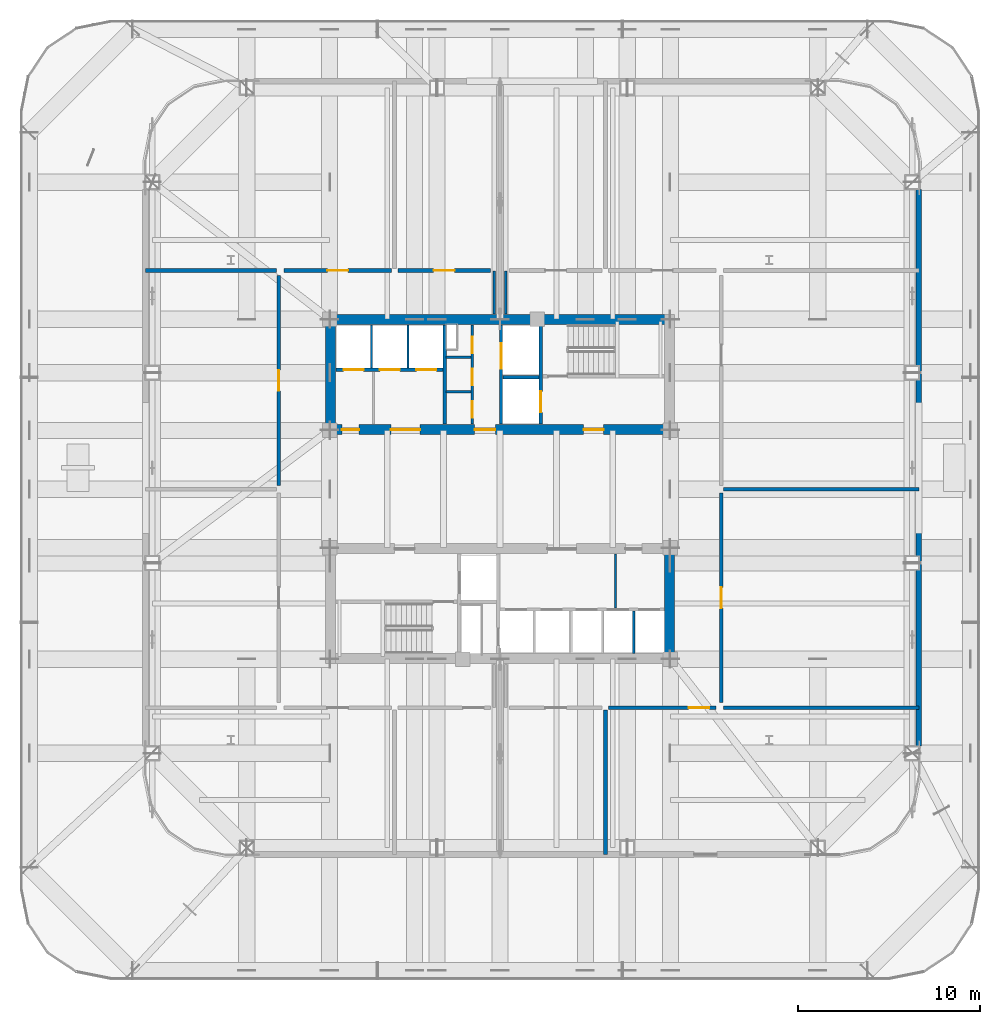
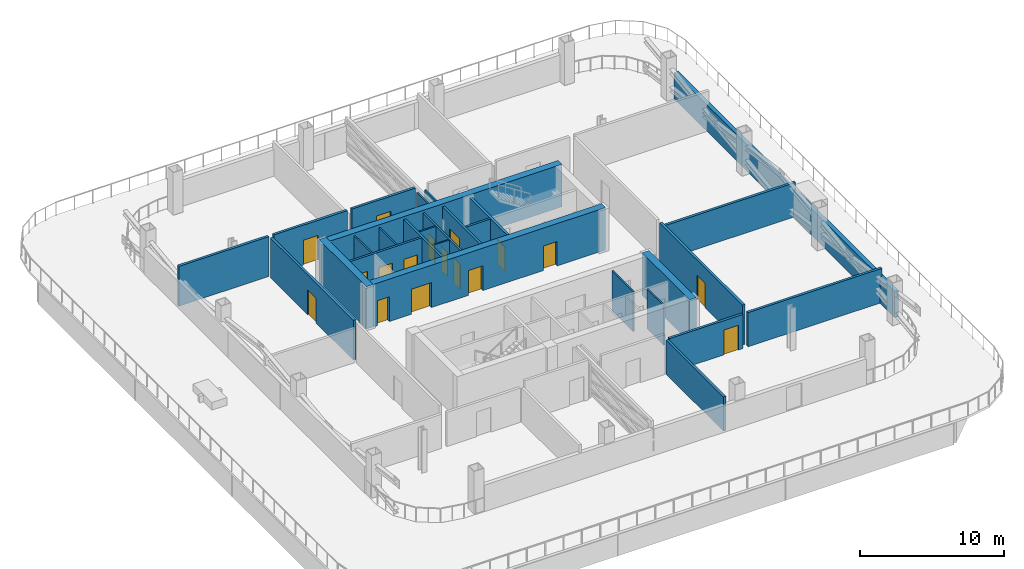
# One storey, part 9 of 16: 28 walls, 17 doors, 17 openings.
"""IFC4 building model written with IfcOpenShell, lengths in metres."""

from ifc_helpers import new_model, si_unit, direction, frame, frame_2d, origin, place, context, subcontext, project, spatial, rectangle, extrude, material, layer, layer_set, type_object, element, fill, save


model = new_model("IFC4")

# Units and contexts
model_context = context("Model", 3, precision=1e-05, world=origin(), true_north=direction((0.0, 1.0)))
body_context = subcontext(model_context, "Body", "Model", "MODEL_VIEW")
ifc_project = project(units=[si_unit("LENGTHUNIT", "METRE"), si_unit("AREAUNIT", "SQUARE_METRE"), si_unit("VOLUMEUNIT", "CUBIC_METRE"), si_unit("PLANEANGLEUNIT", "RADIAN"), si_unit("MASSUNIT", "GRAM", prefix="KILO")], contexts=[model_context])

# Site, building, storey
site_placement = place(None, origin())
site = spatial("IfcSite", under=ifc_project, at=site_placement, CompositionType="ELEMENT")
building_placement = place(site_placement, origin())
building = spatial("IfcBuilding", under=site, at=building_placement, Name="Qhalaya Broadcast Tower", CompositionType="ELEMENT")
storey_placement = place(building_placement, frame((0.0, 0.0, 57.89990234375)))
storey = spatial("IfcBuildingStorey", under=building, at=storey_placement, Name="L16", CompositionType="ELEMENT", Elevation=57.89990234375)

# Wall, openings, doors
ifc_material_1 = material(Name="Gypsum Acoustic Partition")
ifc_layer_1 = layer(ifc_material_1, 0.14990234375, Name="Gypsum Acoustic Partition")
ifc_layer_set_1 = layer_set([ifc_layer_1], Name="Gypsum Acoustic Partition")
wall_type_1 = type_object("IfcWallType", Name="Corridor & Tenancy Acoustic Partition 150", PredefinedType="PARTITIONING", material=ifc_layer_set_1)
wall_1_placement = place(storey_placement, frame((-1.52001953125, 4.169921875, 0.0), z_axis=(0.0, 0.0, 1.0), x_axis=(0.0, 1.0, 0.0)))
wall_1 = element("IfcWall", 1, at=wall_1_placement, inside=storey, type_object=wall_type_1, Name="L16 Partition Wall NCW-SVL", PredefinedType="PARTITIONING", context=body_context, shape_type="SweptSolid", body=[
    extrude(rectangle(XDim=5.4599609375, YDim=0.14990234375, at=frame_2d((2.72998046875, 0.0))), origin(), (0.0, 0.0, 1.0), 3.380126953125),
])
opening_1_placement = place(wall_1_placement, frame((3.89990234375, 0.0, 0.0)))
opening_1 = element("IfcOpeningElement", 2, at=opening_1_placement, cuts=wall_1, Name="Opening D06", PredefinedType="OPENING", context=body_context, shape_type="SweptSolid", body=[
    extrude(rectangle(XDim=0.89990234375, YDim=2.050048828125, at=frame_2d((0.449951171875, 1.02490234375))), frame((0.0, 0.0869140625, 0.0), z_axis=(0.0, -1.0, 0.0), x_axis=(1.0, 0.0, 0.0)), (0.0, 0.0, 1.0), 0.173828125),
])
opening_2_placement = place(wall_1_placement, frame((2.14990234375, 0.0, 0.0)))
opening_2 = element("IfcOpeningElement", 3, at=opening_2_placement, cuts=wall_1, Name="Opening D06", PredefinedType="OPENING", context=body_context, shape_type="SweptSolid", body=[
    extrude(rectangle(XDim=0.89990234375, YDim=2.050048828125, at=frame_2d((0.449951171875, 1.02490234375))), frame((0.0, 0.0869140625, 0.0), z_axis=(0.0, -1.0, 0.0), x_axis=(1.0, 0.0, 0.0)), (0.0, 0.0, 1.0), 0.173828125),
])
opening_3_placement = place(wall_1_placement, frame((0.35009765625, 0.0, 0.0)))
opening_3 = element("IfcOpeningElement", 4, at=opening_3_placement, cuts=wall_1, Name="Opening D12", PredefinedType="OPENING", context=body_context, shape_type="SweptSolid", body=[
    extrude(rectangle(XDim=0.919921875, YDim=2.10009765625, at=frame_2d((0.4599609375, 1.050048828125))), frame((0.0, 0.0869140625, 0.0), z_axis=(0.0, -1.0, 0.0), x_axis=(1.0, 0.0, 0.0)), (0.0, 0.0, 1.0), 0.173828125),
])
ifc_material_2 = material(Name="Timber Veneer Acoustic Door", Category="wood")
door_type_1 = type_object("IfcDoorType", Name="Accessible WC & Restroom Door D12", OperationType="NOTDEFINED", PredefinedType="DOOR", material=ifc_material_2)
door_1_placement = place(opening_3_placement, origin())
door_1 = element("IfcDoor", 5, at=door_1_placement, inside=storey, type_object=door_type_1, Name="L16 Door D-NCWC", OperationType="SINGLE_SWING_RIGHT", OverallHeight=2.10009765625, OverallWidth=0.919921875, PredefinedType="DOOR", context=body_context, shape_type="SweptSolid", body=[
    extrude(rectangle(XDim=0.919921875, YDim=2.10009765625, at=frame_2d((0.4599609375, 1.050048828125))), frame((0.0, 0.02490234375, 0.0), z_axis=(0.0, -1.0, 0.0), x_axis=(1.0, 0.0, 0.0)), (0.0, 0.0, 1.0), 0.050048828125),
])
fill(opening_3, door_1)
ifc_material_3 = material(Name="Fire-Rated Steel Door", Category="steel")
door_type_2 = type_object("IfcDoorType", Name="Riser & Electrical Shaft Access Door D06", OperationType="NOTDEFINED", PredefinedType="DOOR", material=ifc_material_3)
door_2_placement = place(opening_1_placement, origin())
door_2 = element("IfcDoor", 6, at=door_2_placement, inside=storey, type_object=door_type_2, Name="L16 Riser Shaft Access Door D-NRSR", OperationType="SINGLE_SWING_RIGHT", OverallHeight=2.050048828125, OverallWidth=0.89990234375, PredefinedType="DOOR", context=body_context, shape_type="SweptSolid", body=[
    extrude(rectangle(XDim=0.89990234375, YDim=2.050048828125, at=frame_2d((0.449951171875, 1.02490234375))), frame((0.0, 0.02490234375, 0.0), z_axis=(0.0, -1.0, 0.0), x_axis=(1.0, 0.0, 0.0)), (0.0, 0.0, 1.0), 0.050048828125),
])
fill(opening_1, door_2)
door_3_placement = place(opening_2_placement, origin())
door_3 = element("IfcDoor", 7, at=door_3_placement, inside=storey, type_object=door_type_2, Name="L16 Door D-NITR", OperationType="SINGLE_SWING_LEFT", OverallHeight=2.050048828125, OverallWidth=0.89990234375, PredefinedType="DOOR", context=body_context, shape_type="SweptSolid", body=[
    extrude(rectangle(XDim=0.89990234375, YDim=2.050048828125, at=frame_2d((0.449951171875, 1.02490234375))), frame((0.0, 0.02490234375, 0.0), z_axis=(0.0, -1.0, 0.0), x_axis=(1.0, 0.0, 0.0)), (0.0, 0.0, 1.0), 0.050048828125),
])
fill(opening_2, door_3)

# Wall, opening, door
ifc_layer_2 = layer(ifc_material_1, 0.199951171875, Name="Gypsum Acoustic Partition")
ifc_layer_set_2 = layer_set([ifc_layer_2], Name="Gypsum Acoustic Partition")
wall_type_2 = type_object("IfcWallType", Name="Firefighting Lobby & Stair Enclosure Wall 200", PredefinedType="PARTITIONING", material=ifc_layer_set_2)
wall_2_placement = place(storey_placement, frame((-11.8701171875, 12.6201171875, 0.0), z_axis=(0.0, 0.0, 1.0), x_axis=(1.0, 0.0, 0.0)))
wall_2 = element("IfcWall", 8, at=wall_2_placement, inside=storey, type_object=wall_type_2, Name="L16 Partition Wall W-PCN0", PredefinedType="PARTITIONING", context=body_context, shape_type="SweptSolid", body=[
    extrude(rectangle(XDim=5.89013671875, YDim=0.199951171875, at=frame_2d((2.945068359375, 0.0))), origin(), (0.0, 0.0, 1.0), 3.380126953125),
])
opening_4_placement = place(wall_2_placement, frame((2.3701171875, 0.0, 0.0)))
opening_4 = element("IfcOpeningElement", 9, at=opening_4_placement, cuts=wall_2, Name="Opening D05", PredefinedType="OPENING", context=body_context, shape_type="SweptSolid", body=[
    extrude(rectangle(XDim=1.14990234375, YDim=2.10009765625, at=frame_2d((0.574951171875, 1.050048828125))), frame((0.0, 0.112060546875, 0.0), z_axis=(0.0, -1.0, 0.0), x_axis=(1.0, 0.0, 0.0)), (0.0, 0.0, 1.0), 0.223876953125),
])
door_type_3 = type_object("IfcDoorType", Name="Refuge & Plant Room Fire Door D05", OperationType="NOTDEFINED", PredefinedType="DOOR", material=ifc_material_3)
door_4_placement = place(opening_4_placement, origin())
door_4 = element("IfcDoor", 10, at=door_4_placement, inside=storey, type_object=door_type_3, Name="L16 Door D-PCN0", OperationType="SINGLE_SWING_LEFT", OverallHeight=2.10009765625, OverallWidth=1.14990234375, PredefinedType="DOOR", context=body_context, shape_type="SweptSolid", body=[
    extrude(rectangle(XDim=1.14990234375, YDim=2.10009765625, at=frame_2d((0.574951171875, 1.050048828125))), frame((0.0, 0.02490234375, 0.0), z_axis=(0.0, -1.0, 0.0), x_axis=(1.0, 0.0, 0.0)), (0.0, 0.0, 1.0), 0.050048828125),
])
fill(opening_4, door_4)

wall_3_placement = place(storey_placement, frame((-5.6201171875, 12.6201171875, 0.0), z_axis=(0.0, 0.0, 1.0), x_axis=(1.0, 0.0, 0.0)))
wall_3 = element("IfcWall", 11, at=wall_3_placement, inside=storey, type_object=wall_type_2, Name="L16 Partition Wall W-PCN1", PredefinedType="PARTITIONING", context=body_context, shape_type="SweptSolid", body=[
    extrude(rectangle(XDim=5.090087890625, YDim=0.199951171875, at=frame_2d((2.544921875, 0.0))), origin(), (0.0, 0.0, 1.0), 3.380126953125),
])
opening_5_placement = place(wall_3_placement, frame((1.969970703125, 0.0, 0.0)))
opening_5 = element("IfcOpeningElement", 12, at=opening_5_placement, cuts=wall_3, Name="Opening D05", PredefinedType="OPENING", context=body_context, shape_type="SweptSolid", body=[
    extrude(rectangle(XDim=1.14990234375, YDim=2.10009765625, at=frame_2d((0.574951171875, 1.050048828125))), frame((0.0, 0.112060546875, 0.0), z_axis=(0.0, -1.0, 0.0), x_axis=(1.0, 0.0, 0.0)), (0.0, 0.0, 1.0), 0.223876953125),
])
door_5_placement = place(opening_5_placement, origin())
door_5 = element("IfcDoor", 13, at=door_5_placement, inside=storey, type_object=door_type_3, Name="L16 Door D-PCN1", OperationType="SINGLE_SWING_LEFT", OverallHeight=2.10009765625, OverallWidth=1.14990234375, PredefinedType="DOOR", context=body_context, shape_type="SweptSolid", body=[
    extrude(rectangle(XDim=1.14990234375, YDim=2.10009765625, at=frame_2d((0.574951171875, 1.050048828125))), frame((0.0, 0.02490234375, 0.0), z_axis=(0.0, -1.0, 0.0), x_axis=(1.0, 0.0, 0.0)), (0.0, 0.0, 1.0), 0.050048828125),
])
fill(opening_5, door_5)

# Wall
wall_4_placement = place(storey_placement, frame((5.800048828125, -19.510009765625, 0.0), z_axis=(0.0, 0.0, 1.0), x_axis=(0.0, 1.0, 0.0)))
element("IfcWall", 14, at=wall_4_placement, inside=storey, type_object=wall_type_2, Name="L16 Partition Wall W-PDS3", PredefinedType="PARTITIONING", context=body_context, shape_type="SweptSolid", body=[
    extrude(rectangle(XDim=7.969970703125, YDim=0.199951171875, at=frame_2d((3.98486328125, 0.0))), origin(), (0.0, 0.0, 1.0), 2.901123046875),
])

# Wall, opening, door
wall_5_placement = place(storey_placement, frame((5.97998046875, -11.419921875, 0.0), z_axis=(0.0, 0.0, 1.0), x_axis=(1.0, 0.0, 0.0)))
wall_5 = element("IfcWall", 15, at=wall_5_placement, inside=storey, type_object=wall_type_2, Name="L16 Partition Wall W-PCS3", PredefinedType="PARTITIONING", context=body_context, shape_type="SweptSolid", body=[
    extrude(rectangle(XDim=5.89013671875, YDim=0.199951171875, at=frame_2d((2.945068359375, 0.0))), origin(), (0.0, 0.0, 1.0), 2.901123046875),
])
opening_6_placement = place(wall_5_placement, frame((4.389892578125, 0.0, 0.0)))
opening_6 = element("IfcOpeningElement", 16, at=opening_6_placement, cuts=wall_5, Name="Opening D05", PredefinedType="OPENING", context=body_context, shape_type="SweptSolid", body=[
    extrude(rectangle(XDim=1.14990234375, YDim=2.10009765625, at=frame_2d((0.574951171875, 1.050048828125))), frame((0.0, 0.112060546875, 0.0), z_axis=(0.0, -1.0, 0.0), x_axis=(1.0, 0.0, 0.0)), (0.0, 0.0, 1.0), 0.223876953125),
])
door_6_placement = place(opening_6_placement, origin())
door_6 = element("IfcDoor", 17, at=door_6_placement, inside=storey, type_object=door_type_3, Name="L16 Door D-PCS3", OperationType="SINGLE_SWING_RIGHT", OverallHeight=2.10009765625, OverallWidth=1.14990234375, PredefinedType="DOOR", context=body_context, shape_type="SweptSolid", body=[
    extrude(rectangle(XDim=1.14990234375, YDim=2.10009765625, at=frame_2d((0.574951171875, 1.050048828125))), frame((0.0, 0.02490234375, 0.0), z_axis=(0.0, -1.0, 0.0), x_axis=(1.0, 0.0, 0.0)), (0.0, 0.0, 1.0), 0.050048828125),
])
fill(opening_6, door_6)

# Walls
wall_6_placement = place(storey_placement, frame((-19.510009765625, 12.6201171875, 0.0), z_axis=(0.0, 0.0, 1.0), x_axis=(1.0, 0.0, 0.0)))
element("IfcWall", 18, at=wall_6_placement, inside=storey, type_object=wall_type_2, Name="L16 Partition Wall W-PBNW", PredefinedType="PARTITIONING", context=body_context, shape_type="SweptSolid", body=[
    extrude(rectangle(XDim=7.219970703125, YDim=0.199951171875, at=frame_2d((3.60986328125, 0.0))), origin(), (0.0, 0.0, 1.0), 3.380126953125),
])
for number, where, z_axis, x_axis, name in (
    (19, (12.2900390625, -11.419921875, 0.0), (0.0, 0.0, 1.0), (1.0, 0.0, 0.0), "L16 Partition Wall W-PBSE"),
    (20, (12.2900390625, 0.60009765625, 0.0), (0.0, 0.0, 1.0), (1.0, 0.0, 0.0), "L16 Partition Wall W-PDE1"),
):
    element("IfcWall", number, at=place(storey_placement, frame(where, z_axis=z_axis, x_axis=x_axis)), inside=storey, type_object=wall_type_2, Name=name, PredefinedType="PARTITIONING", context=body_context, shape_type="SweptSolid", body=[
        extrude(rectangle(XDim=10.760009765625, YDim=0.199951171875, at=frame_2d((5.3798828125, 0.0))), origin(), (0.0, 0.0, 1.0), 2.901123046875),
    ])

# Wall, opening, door
wall_7_placement = place(storey_placement, frame((-12.169921875, 0.81005859375, 0.0), z_axis=(0.0, 0.0, 1.0), x_axis=(0.0, 1.0, 0.0)))
wall_7 = element("IfcWall", 21, at=wall_7_placement, inside=storey, type_object=wall_type_2, Name="L16 Partition Wall W-PCW2", PredefinedType="PARTITIONING", context=body_context, shape_type="SweptSolid", body=[
    extrude(rectangle(XDim=11.530029296875, YDim=0.199951171875, at=frame_2d((5.76513671875, 0.0))), origin(), (0.0, 0.0, 1.0), 3.380126953125),
])
opening_7_placement = place(wall_7_placement, frame((5.18994140625, 0.0, 0.0)))
opening_7 = element("IfcOpeningElement", 22, at=opening_7_placement, cuts=wall_7, Name="Opening D05", PredefinedType="OPENING", context=body_context, shape_type="SweptSolid", body=[
    extrude(rectangle(XDim=1.14990234375, YDim=2.10009765625, at=frame_2d((0.574951171875, 1.050048828125))), frame((0.0, 0.112060546875, 0.0), z_axis=(0.0, -1.0, 0.0), x_axis=(1.0, 0.0, 0.0)), (0.0, 0.0, 1.0), 0.223876953125),
])
door_7_placement = place(opening_7_placement, origin())
door_7 = element("IfcDoor", 23, at=door_7_placement, inside=storey, type_object=door_type_3, Name="L16 Door D-PCW2", OperationType="SINGLE_SWING_RIGHT", OverallHeight=2.10009765625, OverallWidth=1.14990234375, PredefinedType="DOOR", context=body_context, shape_type="SweptSolid", body=[
    extrude(rectangle(XDim=1.14990234375, YDim=2.10009765625, at=frame_2d((0.574951171875, 1.050048828125))), frame((0.0, 0.02490234375, 0.0), z_axis=(0.0, -1.0, 0.0), x_axis=(1.0, 0.0, 0.0)), (0.0, 0.0, 1.0), 0.050048828125),
])
fill(opening_7, door_7)

wall_8_placement = place(storey_placement, frame((12.169921875, -11.139892578125, 0.0), z_axis=(0.0, 0.0, 1.0), x_axis=(0.0, 1.0, 0.0)))
wall_8 = element("IfcWall", 24, at=wall_8_placement, inside=storey, type_object=wall_type_2, Name="L16 Partition Wall W-PCE1", PredefinedType="PARTITIONING", context=body_context, shape_type="SweptSolid", body=[
    extrude(rectangle(XDim=11.52978515625, YDim=0.199951171875, at=frame_2d((5.764892578125, 0.0))), origin(), (0.0, 0.0, 1.0), 3.380126953125),
])
opening_8_placement = place(wall_8_placement, frame((5.18994140625, 0.0, 0.0)))
opening_8 = element("IfcOpeningElement", 25, at=opening_8_placement, cuts=wall_8, Name="Opening D05", PredefinedType="OPENING", context=body_context, shape_type="SweptSolid", body=[
    extrude(rectangle(XDim=1.14990234375, YDim=2.10009765625, at=frame_2d((0.574951171875, 1.050048828125))), frame((0.0, 0.112060546875, 0.0), z_axis=(0.0, -1.0, 0.0), x_axis=(1.0, 0.0, 0.0)), (0.0, 0.0, 1.0), 0.223876953125),
])
door_8_placement = place(opening_8_placement, origin())
door_8 = element("IfcDoor", 26, at=door_8_placement, inside=storey, type_object=door_type_3, Name="L16 Door D-PCE1", OperationType="SINGLE_SWING_RIGHT", OverallHeight=2.10009765625, OverallWidth=1.14990234375, PredefinedType="DOOR", context=body_context, shape_type="SweptSolid", body=[
    extrude(rectangle(XDim=1.14990234375, YDim=2.10009765625, at=frame_2d((0.574951171875, 1.050048828125))), frame((0.0, 0.02490234375, 0.0), z_axis=(0.0, -1.0, 0.0), x_axis=(1.0, 0.0, 0.0)), (0.0, 0.0, 1.0), 0.050048828125),
])
fill(opening_8, door_8)

ifc_material_4 = material(Name="Concrete C50/60", Category="concrete")
ifc_layer_3 = layer(ifc_material_4, 0.199951171875, Name="Concrete C50/60")
ifc_layer_set_3 = layer_set([ifc_layer_3], Name="Concrete C50/60")
wall_type_3 = type_object("IfcWallType", Name="Load-Bearing Stair Shaft Wall 200", PredefinedType="SHEAR", material=ifc_layer_set_3)
wall_9_placement = place(storey_placement, frame((2.25, 4.169921875, 0.0), z_axis=(0.0, 0.0, 1.0), x_axis=(0.0, 1.0, 0.0)))
wall_9 = element("IfcWall", 27, at=wall_9_placement, inside=storey, type_object=wall_type_3, Name="L16 Stair Core Shear Wall NCW-FF", PredefinedType="SHEAR", context=body_context, shape_type="SweptSolid", body=[
    extrude(rectangle(XDim=5.4599609375, YDim=0.199951171875, at=frame_2d((2.72998046875, 0.0))), origin(), (0.0, 0.0, 1.0), 3.380126953125),
])
opening_9_placement = place(wall_9_placement, frame((0.64990234375, 0.0, 0.0)))
opening_9 = element("IfcOpeningElement", 28, at=opening_9_placement, cuts=wall_9, Name="Opening LD2", PredefinedType="OPENING", context=body_context, shape_type="SweptSolid", body=[
    extrude(rectangle(XDim=1.14990234375, YDim=2.080078125, at=frame_2d((0.574951171875, 1.0400390625))), frame((0.0, 0.112060546875, 0.0), z_axis=(0.0, -1.0, 0.0), x_axis=(1.0, 0.0, 0.0)), (0.0, 0.0, 1.0), 0.223876953125),
])
ifc_material_5 = material(Name="Brushed Stainless Steel Lift Door", Category="steel")
door_type_4 = type_object("IfcDoorType", Name="Firefighting Lift Sliding Landing Door LD2", OperationType="DOUBLE_DOOR_SLIDING", PredefinedType="DOOR", material=ifc_material_5)
door_9_placement = place(opening_9_placement, origin())
door_9 = element("IfcDoor", 29, at=door_9_placement, inside=storey, type_object=door_type_4, Name="L16 Door LD-FF1", OperationType="DOUBLE_DOOR_SLIDING", OverallHeight=2.080078125, OverallWidth=1.14990234375, PredefinedType="DOOR", context=body_context, shape_type="SweptSolid", body=[
    extrude(rectangle(XDim=1.14990234375, YDim=2.080078125, at=frame_2d((0.574951171875, 1.0400390625))), frame((0.0, 0.02490234375, 0.0), z_axis=(0.0, -1.0, 0.0), x_axis=(1.0, 0.0, 0.0)), (0.0, 0.0, 1.0), 0.050048828125),
])
fill(opening_9, door_9)

# Wall
ifc_material_6 = material(Name="Concrete C60/75", Category="concrete")
ifc_layer_4 = layer(ifc_material_6, 0.550048828125, Name="Concrete C60/75")
ifc_layer_set_4 = layer_set([ifc_layer_4], Name="Concrete C60/75")
wall_type_4 = type_object("IfcWallType", Name="Lower Split-Core Shear Wall 550", PredefinedType="SHEAR", material=ifc_layer_set_4)
wall_10_placement = place(storey_placement, frame((-9.60009765625, 9.925048828125, 0.0), z_axis=(0.0, 0.0, 1.0), x_axis=(1.0, 0.0, 0.0)))
element("IfcWall", 30, at=wall_10_placement, inside=storey, type_object=wall_type_4, Name="L16 Split-Core Shear Wall CW-NN", PredefinedType="SHEAR", context=body_context, shape_type="SweptSolid", body=[
    extrude(rectangle(XDim=19.2001953125, YDim=0.550048828125, at=frame_2d((9.60009765625, 0.0))), origin(), (0.0, 0.0, 1.0), 3.60009765625),
])

# Wall, openings, doors
wall_11_placement = place(storey_placement, frame((-9.60009765625, 3.875, 0.0), z_axis=(0.0, 0.0, 1.0), x_axis=(1.0, 0.0, 0.0)))
wall_11 = element("IfcWall", 31, at=wall_11_placement, inside=storey, type_object=wall_type_4, Name="L16 Split-Core Shear Wall CW-NS", PredefinedType="SHEAR", context=body_context, shape_type="SweptSolid", body=[
    extrude(rectangle(XDim=19.2001953125, YDim=0.550048828125, at=frame_2d((9.60009765625, 0.0))), origin(), (0.0, 0.0, 1.0), 3.60009765625),
])
opening_10_placement = place(wall_11_placement, frame((14.199951171875, 0.0, 0.0)))
opening_10 = element("IfcOpeningElement", 32, at=opening_10_placement, cuts=wall_11, Name="Opening D04", PredefinedType="OPENING", context=body_context, shape_type="SweptSolid", body=[
    extrude(rectangle(XDim=1.10009765625, YDim=2.080078125, at=frame_2d((0.550048828125, 1.0400390625))), frame((0.0, 0.287109375, 0.0), z_axis=(0.0, -1.0, 0.0), x_axis=(1.0, 0.0, 0.0)), (0.0, 0.0, 1.0), 0.573974609375),
])
opening_11_placement = place(wall_11_placement, frame((8.199951171875, 0.0, 0.0)))
opening_11 = element("IfcOpeningElement", 33, at=opening_11_placement, cuts=wall_11, Name="Opening D05", PredefinedType="OPENING", context=body_context, shape_type="SweptSolid", body=[
    extrude(rectangle(XDim=1.14990234375, YDim=2.10009765625, at=frame_2d((0.574951171875, 1.050048828125))), frame((0.0, 0.287109375, 0.0), z_axis=(0.0, -1.0, 0.0), x_axis=(1.0, 0.0, 0.0)), (0.0, 0.0, 1.0), 0.573974609375),
])
opening_12_placement = place(wall_11_placement, frame((0.89990234375, 0.0, 0.0)))
opening_12 = element("IfcOpeningElement", 34, at=opening_12_placement, cuts=wall_11, Name="Opening D10", PredefinedType="OPENING", context=body_context, shape_type="SweptSolid", body=[
    extrude(rectangle(XDim=0.949951171875, YDim=2.10009765625, at=frame_2d((0.47509765625, 1.050048828125))), frame((0.0, 0.287109375, 0.0), z_axis=(0.0, -1.0, 0.0), x_axis=(1.0, 0.0, 0.0)), (0.0, 0.0, 1.0), 0.573974609375),
])
opening_13_placement = place(wall_11_placement, frame((3.60009765625, 0.0, 0.0)))
opening_13 = element("IfcOpeningElement", 35, at=opening_13_placement, cuts=wall_11, Name="Opening D07", PredefinedType="OPENING", context=body_context, shape_type="SweptSolid", body=[
    extrude(rectangle(XDim=1.60009765625, YDim=2.1201171875, at=frame_2d((0.800048828125, 1.06005859375))), frame((0.0, 0.287109375, 0.0), z_axis=(0.0, -1.0, 0.0), x_axis=(1.0, 0.0, 0.0)), (0.0, 0.0, 1.0), 0.573974609375),
])
door_type_5 = type_object("IfcDoorType", Name="Cellular Office & Edit Booth Door D10", OperationType="NOTDEFINED", PredefinedType="DOOR", material=ifc_material_2)
door_10_placement = place(opening_12_placement, origin())
door_10 = element("IfcDoor", 36, at=door_10_placement, inside=storey, type_object=door_type_5, Name="L16 Door D-NLPNT", OperationType="SINGLE_SWING_RIGHT", OverallHeight=2.10009765625, OverallWidth=0.949951171875, PredefinedType="DOOR", context=body_context, shape_type="SweptSolid", body=[
    extrude(rectangle(XDim=0.949951171875, YDim=2.10009765625, at=frame_2d((0.47509765625, 1.050048828125))), frame((0.0, 0.02490234375, 0.0), z_axis=(0.0, -1.0, 0.0), x_axis=(1.0, 0.0, 0.0)), (0.0, 0.0, 1.0), 0.050048828125),
])
fill(opening_12, door_10)
door_type_6 = type_object("IfcDoorType", Name="Firefighting Lobby Rated Door D04", OperationType="NOTDEFINED", PredefinedType="DOOR", material=ifc_material_3)
door_11_placement = place(opening_10_placement, origin())
door_11 = element("IfcDoor", 37, at=door_11_placement, inside=storey, type_object=door_type_6, Name="L16 Door D-NFF", OperationType="SINGLE_SWING_RIGHT", OverallHeight=2.080078125, OverallWidth=1.10009765625, PredefinedType="DOOR", context=body_context, shape_type="SweptSolid", body=[
    extrude(rectangle(XDim=1.10009765625, YDim=2.080078125, at=frame_2d((0.550048828125, 1.0400390625))), frame((0.0, 0.02490234375, 0.0), z_axis=(0.0, -1.0, 0.0), x_axis=(1.0, 0.0, 0.0)), (0.0, 0.0, 1.0), 0.050048828125),
])
fill(opening_10, door_11)
ifc_material_7 = material(Name="Anodised Aluminium Glazed Door", Category="aluminium")
door_type_7 = type_object("IfcDoorType", Name="Passenger Lift Lobby Double Glazed Door D07", OperationType="DOUBLE_DOOR_SINGLE_SWING", PredefinedType="DOOR", material=ifc_material_7)
door_12_placement = place(opening_13_placement, origin())
door_12 = element("IfcDoor", 38, at=door_12_placement, inside=storey, type_object=door_type_7, Name="L16 Door D-NPLL", OperationType="DOUBLE_DOOR_SINGLE_SWING", OverallHeight=2.1201171875, OverallWidth=1.60009765625, PredefinedType="DOOR", context=body_context, shape_type="SweptSolid", body=[
    extrude(rectangle(XDim=1.60009765625, YDim=2.1201171875, at=frame_2d((0.800048828125, 1.06005859375))), frame((0.0, 0.02490234375, 0.0), z_axis=(0.0, -1.0, 0.0), x_axis=(1.0, 0.0, 0.0)), (0.0, 0.0, 1.0), 0.050048828125),
])
fill(opening_13, door_12)
door_13_placement = place(opening_11_placement, origin())
door_13 = element("IfcDoor", 39, at=door_13_placement, inside=storey, type_object=door_type_3, Name="L16 Door D-NSVL", OperationType="SINGLE_SWING_LEFT", OverallHeight=2.10009765625, OverallWidth=1.14990234375, PredefinedType="DOOR", context=body_context, shape_type="SweptSolid", body=[
    extrude(rectangle(XDim=1.14990234375, YDim=2.10009765625, at=frame_2d((0.574951171875, 1.050048828125))), frame((0.0, 0.02490234375, 0.0), z_axis=(0.0, -1.0, 0.0), x_axis=(1.0, 0.0, 0.0)), (0.0, 0.0, 1.0), 0.050048828125),
])
fill(opening_11, door_13)

# Walls
wall_12_placement = place(storey_placement, frame((-9.324951171875, 3.60009765625, 0.0), z_axis=(0.0, 0.0, 1.0), x_axis=(0.0, 1.0, 0.0)))
element("IfcWall", 40, at=wall_12_placement, inside=storey, type_object=wall_type_4, Name="L16 Split-Core Shear Wall CW-NW", PredefinedType="SHEAR", context=body_context, shape_type="SweptSolid", body=[
    extrude(rectangle(XDim=6.599853515625, YDim=0.550048828125, at=frame_2d((3.2998046875, 0.0))), origin(), (0.0, 0.0, 1.0), 3.60009765625),
])
wall_13_placement = place(storey_placement, frame((9.324951171875, -9.0, 0.0), z_axis=(0.0, 0.0, 1.0), x_axis=(0.0, 1.0, 0.0)))
element("IfcWall", 41, at=wall_13_placement, inside=storey, type_object=wall_type_4, Name="L16 Split-Core Shear Wall CW-SE", PredefinedType="SHEAR", context=body_context, shape_type="SweptSolid", body=[
    extrude(rectangle(XDim=6.60009765625, YDim=0.550048828125, at=frame_2d((3.300048828125, 0.0))), origin(), (0.0, 0.0, 1.0), 3.60009765625),
])
ifc_layer_5 = layer(ifc_material_1, 0.1201171875, Name="Gypsum Acoustic Partition")
ifc_layer_set_5 = layer_set([ifc_layer_5], Name="Gypsum Acoustic Partition")
wall_type_5 = type_object("IfcWallType", Name="Office, Booth & Sanitary Partition 120", PredefinedType="PARTITIONING", material=ifc_layer_set_5)
for number, where, z_axis, x_axis, name in (
    (42, (-2.9599609375, 5.949951171875, 0.0), (0.0, 0.0, 1.0), (1.0, 0.0, 0.0), "L16 Partition Wall NCW-VB1"),
    (43, (-2.9599609375, 7.85009765625, 0.0), (0.0, 0.0, 1.0), (1.0, 0.0, 0.0), "L16 Partition Wall NCW-VB2"),
):
    element("IfcWall", number, at=place(storey_placement, frame(where, z_axis=z_axis, x_axis=x_axis)), inside=storey, type_object=wall_type_5, Name=name, PredefinedType="PARTITIONING", context=body_context, shape_type="SweptSolid", body=[
        extrude(rectangle(XDim=1.35986328125, YDim=0.1201171875, at=frame_2d((0.679931640625, 0.0))), origin(), (0.0, 0.0, 1.0), 3.380126953125),
    ])
for number, where, z_axis, x_axis, name in (
    (44, (-7.06005859375, 7.25, 0.0), (0.0, 0.0, 1.0), (0.0, 1.0, 0.0), "L16 Partition Wall NCW-PD1"),
    (45, (-5.06005859375, 7.25, 0.0), (0.0, 0.0, 1.0), (0.0, 1.0, 0.0), "L16 Partition Wall NCW-PD2"),
):
    element("IfcWall", number, at=place(storey_placement, frame(where, z_axis=z_axis, x_axis=x_axis)), inside=storey, type_object=wall_type_5, Name=name, PredefinedType="PARTITIONING", context=body_context, shape_type="SweptSolid", body=[
        extrude(rectangle(XDim=2.3798828125, YDim=0.1201171875, at=frame_2d((1.18994140625, 0.0))), origin(), (0.0, 0.0, 1.0), 3.380126953125),
    ])
wall_14_placement = place(storey_placement, frame((7.360107421875, -8.429931640625, 0.0), z_axis=(0.0, 0.0, 1.0), x_axis=(0.0, 1.0, 0.0)))
element("IfcWall", 46, at=wall_14_placement, inside=storey, type_object=wall_type_5, Name="L16 Partition Wall SCW-HD7", PredefinedType="PARTITIONING", context=body_context, shape_type="SweptSolid", body=[
    extrude(rectangle(XDim=2.329833984375, YDim=0.1201171875, at=frame_2d((1.1650390625, 0.0))), origin(), (0.0, 0.0, 1.0), 3.380126953125),
])
wall_15_placement = place(storey_placement, frame((6.35009765625, -5.93994140625, 0.0), z_axis=(0.0, 0.0, 1.0), x_axis=(0.0, 1.0, 0.0)))
element("IfcWall", 47, at=wall_15_placement, inside=storey, type_object=wall_type_5, Name="L16 Partition Wall SCW-LKB", PredefinedType="PARTITIONING", context=body_context, shape_type="SweptSolid", body=[
    extrude(rectangle(XDim=2.969970703125, YDim=0.1201171875, at=frame_2d((1.48486328125, 0.0))), origin(), (0.0, 0.0, 1.0), 3.380126953125),
])
for number, where, z_axis, x_axis, name in (
    (48, (-0.320068359375, 10.239990234375, 0.0), (0.0, 0.0, 1.0), (0.0, 1.0, 0.0), "L16 Partition Wall W-OBNCW"),
    (49, (0.320068359375, 10.239990234375, 0.0), (0.0, 0.0, 1.0), (0.0, 1.0, 0.0), "L16 Partition Wall W-OBNCE"),
):
    element("IfcWall", number, at=place(storey_placement, frame(where, z_axis=z_axis, x_axis=x_axis)), inside=storey, type_object=wall_type_5, Name=name, PredefinedType="PARTITIONING", context=body_context, shape_type="SweptSolid", body=[
        extrude(rectangle(XDim=2.360107421875, YDim=0.1201171875, at=frame_2d((1.18017578125, 0.0))), origin(), (0.0, 0.0, 1.0), 2.901123046875),
    ])
ifc_material_8 = material(Name="Precast Concrete C40/50", Category="concrete")
ifc_layer_6 = layer(ifc_material_8, 0.320068359375, Name="Precast Concrete C40/50")
ifc_layer_set_6 = layer_set([ifc_layer_6], Name="Precast Concrete C40/50")
wall_type_6 = type_object("IfcWallType", Name="Recessed Neck Insulated Exterior Wall 320", PredefinedType="SOLIDWALL", material=ifc_layer_set_6)
wall_16_placement = place(storey_placement, frame((23.030029296875, 17.08203125, 0.0), z_axis=(0.0, 0.0, 1.0), x_axis=(0.0, -1.0, 0.0)))
element("IfcWall", 50, at=wall_16_placement, inside=storey, type_object=wall_type_6, Name="L16 Exterior Facade Wall E", PredefinedType="SOLIDWALL", context=body_context, shape_type="SweptSolid", body=[
    extrude(rectangle(XDim=30.6240234375, YDim=0.320068359375, at=frame_2d((15.31201171875, 0.0))), origin(), (0.0, 0.0, 1.0), 2.2421875),
])

# Wall, opening, door
ifc_layer_7 = layer(ifc_material_1, 0.175048828125, Name="Gypsum Acoustic Partition")
ifc_layer_set_7 = layer_set([ifc_layer_7], Name="Gypsum Acoustic Partition")
wall_type_7 = type_object("IfcWallType", Name="Shaft & Riser Fire Partition 175", PredefinedType="PARTITIONING", material=ifc_layer_set_7)
wall_17_placement = place(storey_placement, frame((0.06005859375, 4.169921875, 0.0), z_axis=(0.0, 0.0, 1.0), x_axis=(0.0, 1.0, 0.0)))
wall_17 = element("IfcWall", 51, at=wall_17_placement, inside=storey, type_object=wall_type_7, Name="L16 Partition Wall NCW-SVW", PredefinedType="PARTITIONING", context=body_context, shape_type="SweptSolid", body=[
    extrude(rectangle(XDim=5.4599609375, YDim=0.175048828125, at=frame_2d((2.72998046875, 0.0))), origin(), (0.0, 0.0, 1.0), 3.380126953125),
])
opening_14_placement = place(wall_17_placement, frame((3.050048828125, 0.0, 0.0)))
opening_14 = element("IfcOpeningElement", 52, at=opening_14_placement, cuts=wall_17, Name="Opening LD3", PredefinedType="OPENING", context=body_context, shape_type="SweptSolid", body=[
    extrude(rectangle(XDim=1.39990234375, YDim=2.1201171875, at=frame_2d((0.699951171875, 1.06005859375))), frame((0.0, 0.099609375, 0.0), z_axis=(0.0, -1.0, 0.0), x_axis=(1.0, 0.0, 0.0)), (0.0, 0.0, 1.0), 0.198974609375),
])
door_type_8 = type_object("IfcDoorType", Name="Service Lift Wide Sliding Landing Door LD3", OperationType="DOUBLE_DOOR_SLIDING", PredefinedType="DOOR", material=ifc_material_5)
door_14_placement = place(opening_14_placement, origin())
door_14 = element("IfcDoor", 53, at=door_14_placement, inside=storey, type_object=door_type_8, Name="L16 Door LD-SV1", OperationType="DOUBLE_DOOR_SLIDING", OverallHeight=2.1201171875, OverallWidth=1.39990234375, PredefinedType="DOOR", context=body_context, shape_type="SweptSolid", body=[
    extrude(rectangle(XDim=1.39990234375, YDim=2.1201171875, at=frame_2d((0.699951171875, 1.06005859375))), frame((0.0, 0.02490234375, 0.0), z_axis=(0.0, -1.0, 0.0), x_axis=(1.0, 0.0, 0.0)), (0.0, 0.0, 1.0), 0.050048828125),
])
fill(opening_14, door_14)

# Walls
wall_18_placement = place(storey_placement, frame((0.159912109375, 6.75, 0.0), z_axis=(0.0, 0.0, 1.0), x_axis=(1.0, 0.0, 0.0)))
element("IfcWall", 54, at=wall_18_placement, inside=storey, type_object=wall_type_7, Name="L16 Partition Wall NCW-SVM", PredefinedType="PARTITIONING", context=body_context, shape_type="SweptSolid", body=[
    extrude(rectangle(XDim=1.97998046875, YDim=0.175048828125, at=frame_2d((0.989990234375, 0.0))), origin(), (0.0, 0.0, 1.0), 3.380126953125),
])
wall_19_placement = place(storey_placement, frame((-3.0400390625, 4.169921875, 0.0), z_axis=(0.0, 0.0, 1.0), x_axis=(0.0, 1.0, 0.0)))
element("IfcWall", 55, at=wall_19_placement, inside=storey, type_object=wall_type_7, Name="L16 Partition Wall NCW-VRW", PredefinedType="PARTITIONING", context=body_context, shape_type="SweptSolid", body=[
    extrude(rectangle(XDim=5.4599609375, YDim=0.175048828125, at=frame_2d((2.72998046875, 0.0))), origin(), (0.0, 0.0, 1.0), 3.380126953125),
])

# Wall, openings, doors
wall_20_placement = place(storey_placement, frame((-9.030029296875, 7.159912109375, 0.0), z_axis=(0.0, 0.0, 1.0), x_axis=(1.0, 0.0, 0.0)))
wall_20 = element("IfcWall", 56, at=wall_20_placement, inside=storey, type_object=wall_type_7, Name="L16 Partition Wall NCW-PLB", PredefinedType="PARTITIONING", context=body_context, shape_type="SweptSolid", body=[
    extrude(rectangle(XDim=5.909912109375, YDim=0.175048828125, at=frame_2d((2.955078125, 0.0))), origin(), (0.0, 0.0, 1.0), 3.380126953125),
])
opening_15_placement = place(wall_20_placement, frame((0.429931640625, 0.0, 0.0)))
opening_15 = element("IfcOpeningElement", 57, at=opening_15_placement, cuts=wall_20, Name="Opening LD1", PredefinedType="OPENING", context=body_context, shape_type="SweptSolid", body=[
    extrude(rectangle(XDim=1.10009765625, YDim=2.06005859375, at=frame_2d((0.550048828125, 1.030029296875))), frame((0.0, 0.099609375, 0.0), z_axis=(0.0, -1.0, 0.0), x_axis=(1.0, 0.0, 0.0)), (0.0, 0.0, 1.0), 0.198974609375),
])
opening_16_placement = place(wall_20_placement, frame((2.429931640625, 0.0, 0.0)))
opening_16 = element("IfcOpeningElement", 58, at=opening_16_placement, cuts=wall_20, Name="Opening LD1", PredefinedType="OPENING", context=body_context, shape_type="SweptSolid", body=[
    extrude(rectangle(XDim=1.10009765625, YDim=2.06005859375, at=frame_2d((0.550048828125, 1.030029296875))), frame((0.0, 0.099609375, 0.0), z_axis=(0.0, -1.0, 0.0), x_axis=(1.0, 0.0, 0.0)), (0.0, 0.0, 1.0), 0.198974609375),
])
opening_17_placement = place(wall_20_placement, frame((4.429931640625, 0.0, 0.0)))
opening_17 = element("IfcOpeningElement", 59, at=opening_17_placement, cuts=wall_20, Name="Opening LD1", PredefinedType="OPENING", context=body_context, shape_type="SweptSolid", body=[
    extrude(rectangle(XDim=1.10009765625, YDim=2.06005859375, at=frame_2d((0.550048828125, 1.030029296875))), frame((0.0, 0.099609375, 0.0), z_axis=(0.0, -1.0, 0.0), x_axis=(1.0, 0.0, 0.0)), (0.0, 0.0, 1.0), 0.198974609375),
])
door_type_9 = type_object("IfcDoorType", Name="Passenger Lift Sliding Landing Door LD1", OperationType="DOUBLE_DOOR_SLIDING", PredefinedType="DOOR", material=ifc_material_5)
door_15_placement = place(opening_15_placement, origin())
door_15 = element("IfcDoor", 60, at=door_15_placement, inside=storey, type_object=door_type_9, Name="L16 Door LD-P1", OperationType="DOUBLE_DOOR_SLIDING", OverallHeight=2.06005859375, OverallWidth=1.10009765625, PredefinedType="DOOR", context=body_context, shape_type="SweptSolid", body=[
    extrude(rectangle(XDim=1.10009765625, YDim=2.06005859375, at=frame_2d((0.550048828125, 1.030029296875))), frame((0.0, 0.02490234375, 0.0), z_axis=(0.0, -1.0, 0.0), x_axis=(1.0, 0.0, 0.0)), (0.0, 0.0, 1.0), 0.050048828125),
])
fill(opening_15, door_15)
door_16_placement = place(opening_16_placement, origin())
door_16 = element("IfcDoor", 61, at=door_16_placement, inside=storey, type_object=door_type_9, Name="L16 Door LD-P2", OperationType="DOUBLE_DOOR_SLIDING", OverallHeight=2.06005859375, OverallWidth=1.10009765625, PredefinedType="DOOR", context=body_context, shape_type="SweptSolid", body=[
    extrude(rectangle(XDim=1.10009765625, YDim=2.06005859375, at=frame_2d((0.550048828125, 1.030029296875))), frame((0.0, 0.02490234375, 0.0), z_axis=(0.0, -1.0, 0.0), x_axis=(1.0, 0.0, 0.0)), (0.0, 0.0, 1.0), 0.050048828125),
])
fill(opening_16, door_16)
door_17_placement = place(opening_17_placement, origin())
door_17 = element("IfcDoor", 62, at=door_17_placement, inside=storey, type_object=door_type_9, Name="L16 Door LD-P3", OperationType="DOUBLE_DOOR_SLIDING", OverallHeight=2.06005859375, OverallWidth=1.10009765625, PredefinedType="DOOR", context=body_context, shape_type="SweptSolid", body=[
    extrude(rectangle(XDim=1.10009765625, YDim=2.06005859375, at=frame_2d((0.550048828125, 1.030029296875))), frame((0.0, 0.02490234375, 0.0), z_axis=(0.0, -1.0, 0.0), x_axis=(1.0, 0.0, 0.0)), (0.0, 0.0, 1.0), 0.050048828125),
])
fill(opening_17, door_17)

save(model, "model.ifc")
